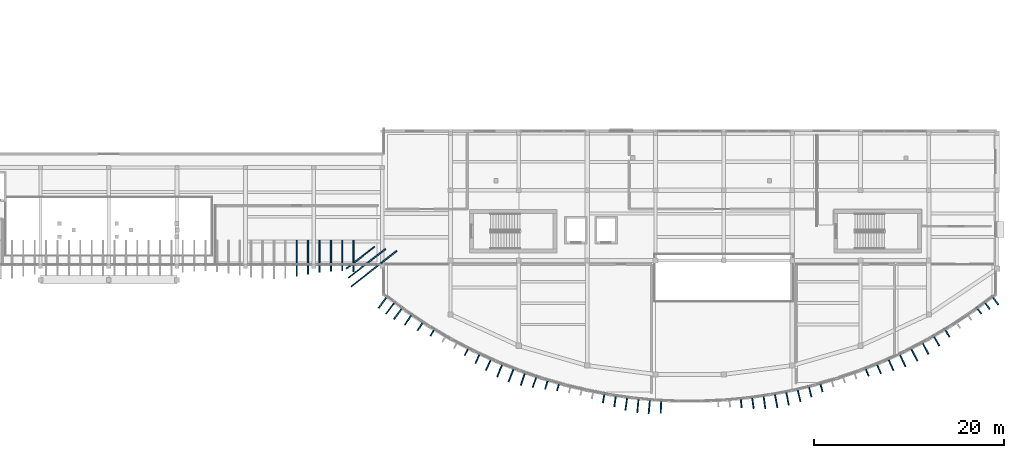
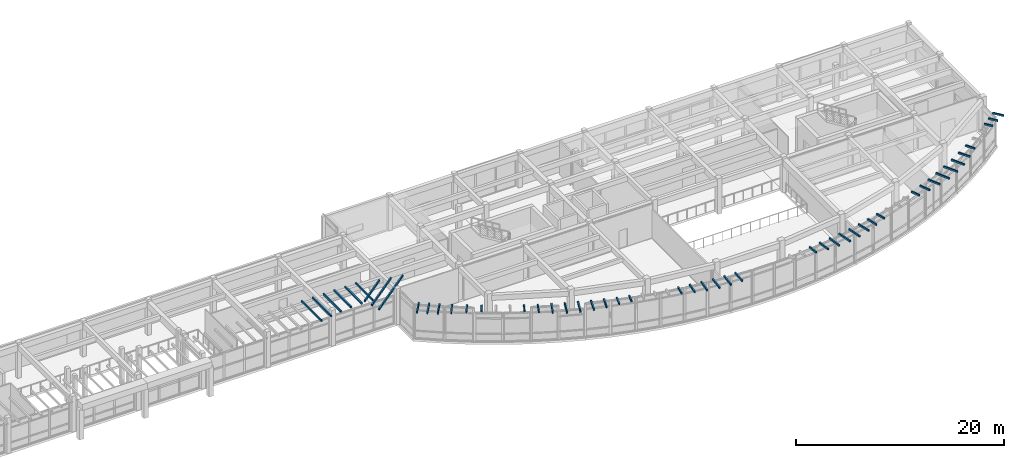
# One storey, part 46 of 60: 49 discrete accessories.
"""IFC4 building model written with IfcOpenShell, lengths in metres."""

from ifc_helpers import new_model, si_unit, direction, frame, origin, origin_2d, place, context, subcontext, project, spatial, rectangle, extrude, material, type_object, element, save


model = new_model("IFC4")

# Units and contexts
model_context = context("Model", 3, precision=1e-05, world=origin(), true_north=direction((0.0, 1.0)))
body_context = subcontext(model_context, "Body", "Model", "MODEL_VIEW")
ifc_project = project(units=[si_unit("LENGTHUNIT", "METRE"), si_unit("AREAUNIT", "SQUARE_METRE"), si_unit("VOLUMEUNIT", "CUBIC_METRE"), si_unit("PLANEANGLEUNIT", "RADIAN"), si_unit("MASSUNIT", "GRAM", prefix="KILO")], contexts=[model_context])

# Site, building, storey
site_placement = place(None, origin())
site = spatial("IfcSite", under=ifc_project, at=site_placement, CompositionType="ELEMENT")
building_placement = place(site_placement, origin())
building = spatial("IfcBuilding", under=site, at=building_placement, Name="Brisavento Harbour Community Centre", CompositionType="ELEMENT")
storey_placement = place(building_placement, frame((0.0, 0.0, 4.5)))
storey = spatial("IfcBuildingStorey", under=building, at=storey_placement, Name="L01", CompositionType="ELEMENT", Elevation=4.5)

# Discrete accessories
ifc_material = material(Name="Stainless steel 1.4401", Category="steel")
discrete_accessory_type = type_object("IfcDiscreteAccessoryType", Name="BRK-FIN-SS", PredefinedType="BRACKET", material=ifc_material)
discrete_accessory_1_placement = place(storey_placement, frame((99.0, 15.2373046875, 3.97998046875), z_axis=(0.0, 0.0, 1.0), x_axis=(0.0, -1.0, 0.0)))
element("IfcDiscreteAccessory", 1, at=discrete_accessory_1_placement, inside=storey, type_object=discrete_accessory_type, Name="Stainless-steel storm-fin bracket 084.3", PredefinedType="BRACKET", context=body_context, shape_type="SweptSolid", body=[
    extrude(rectangle(XDim=3.825439453125, YDim=0.139892578125, at=origin_2d()), origin(), (0.0, 0.0, 1.0), 0.199951171875),
])
discrete_accessory_2_placement = place(storey_placement, frame((100.199951171875, 15.345947265625, 3.97998046875), z_axis=(0.0, 0.0, 1.0), x_axis=(0.0, -1.0, 0.0)))
element("IfcDiscreteAccessory", 2, at=discrete_accessory_2_placement, inside=storey, type_object=discrete_accessory_type, Name="Stainless-steel storm-fin bracket 085.3", PredefinedType="BRACKET", context=body_context, shape_type="SweptSolid", body=[
    extrude(rectangle(XDim=3.60791015625, YDim=0.139892578125, at=origin_2d()), origin(), (0.0, 0.0, 1.0), 0.199951171875),
])
discrete_accessory_3_placement = place(storey_placement, frame((101.39990234375, 15.448486328125, 3.97998046875), z_axis=(0.0, 0.0, 1.0), x_axis=(0.0, -1.0, 0.0)))
element("IfcDiscreteAccessory", 3, at=discrete_accessory_3_placement, inside=storey, type_object=discrete_accessory_type, Name="Stainless-steel storm-fin bracket 086.3", PredefinedType="BRACKET", context=body_context, shape_type="SweptSolid", body=[
    extrude(rectangle(XDim=3.403076171875, YDim=0.139892578125, at=origin_2d()), origin(), (0.0, 0.0, 1.0), 0.199951171875),
])
discrete_accessory_4_placement = place(storey_placement, frame((102.60009765625, 15.51708984375, 3.97998046875), z_axis=(0.0, 0.0, 1.0), x_axis=(0.0, -1.0, 0.0)))
element("IfcDiscreteAccessory", 4, at=discrete_accessory_4_placement, inside=storey, type_object=discrete_accessory_type, Name="Stainless-steel storm-fin bracket 087.3", PredefinedType="BRACKET", context=body_context, shape_type="SweptSolid", body=[
    extrude(rectangle(XDim=3.265625, YDim=0.139892578125, at=origin_2d()), origin(), (0.0, 0.0, 1.0), 0.199951171875),
])
discrete_accessory_5_placement = place(storey_placement, frame((103.800048828125, 15.53369140625, 3.97998046875), z_axis=(0.0, 0.0, 1.0), x_axis=(0.0, -1.0, 0.0)))
element("IfcDiscreteAccessory", 5, at=discrete_accessory_5_placement, inside=storey, type_object=discrete_accessory_type, Name="Stainless-steel storm-fin bracket 088.3", PredefinedType="BRACKET", context=body_context, shape_type="SweptSolid", body=[
    extrude(rectangle(XDim=3.232666015625, YDim=0.139892578125, at=origin_2d()), origin(), (0.0, 0.0, 1.0), 0.199951171875),
])
discrete_accessory_6_placement = place(storey_placement, frame((105.0, 15.49365234375, 3.97998046875), z_axis=(0.0, 0.0, 1.0), x_axis=(0.0, -1.0, 0.0)))
element("IfcDiscreteAccessory", 6, at=discrete_accessory_6_placement, inside=storey, type_object=discrete_accessory_type, Name="Stainless-steel storm-fin bracket 089.3", PredefinedType="BRACKET", context=body_context, shape_type="SweptSolid", body=[
    extrude(rectangle(XDim=3.312744140625, YDim=0.139892578125, at=origin_2d()), origin(), (0.0, 0.0, 1.0), 0.199951171875),
])
discrete_accessory_7_placement = place(storey_placement, frame((105.707275390625, 15.290283203125, 3.97998046875), z_axis=(0.0, 0.0, 1.0), x_axis=(-0.788053732966, -0.615606460297, 0.0)))
element("IfcDiscreteAccessory", 7, at=discrete_accessory_7_placement, inside=storey, type_object=discrete_accessory_type, Name="Stainless-steel storm-fin bracket 090.3", PredefinedType="BRACKET", context=body_context, shape_type="SweptSolid", body=[
    extrude(rectangle(XDim=3.765380859375, YDim=0.139892578125, at=origin_2d()), origin(), (0.0, 0.0, 1.0), 0.199951171875),
])
discrete_accessory_8_placement = place(storey_placement, frame((106.4140625, 14.70556640625, 3.97998046875), z_axis=(0.0, 0.0, 1.0), x_axis=(-0.788053732966, -0.615606460297, 0.0)))
element("IfcDiscreteAccessory", 8, at=discrete_accessory_8_placement, inside=storey, type_object=discrete_accessory_type, Name="Stainless-steel storm-fin bracket 091.3", PredefinedType="BRACKET", context=body_context, shape_type="SweptSolid", body=[
    extrude(rectangle(XDim=4.94970703125, YDim=0.139892578125, at=origin_2d()), origin(), (0.0, 0.0, 1.0), 0.199951171875),
])
discrete_accessory_9_placement = place(storey_placement, frame((107.130126953125, 14.1279296875, 3.97998046875), z_axis=(0.0, 0.0, 1.0), x_axis=(-0.788053732966, -0.615606460297, 0.0)))
element("IfcDiscreteAccessory", 9, at=discrete_accessory_9_placement, inside=storey, type_object=discrete_accessory_type, Name="Stainless-steel storm-fin bracket 092.3", PredefinedType="BRACKET", context=body_context, shape_type="SweptSolid", body=[
    extrude(rectangle(XDim=6.116943359375, YDim=0.139892578125, at=origin_2d()), origin(), (0.0, 0.0, 1.0), 0.199951171875),
])
discrete_accessory_10_placement = place(storey_placement, frame((108.09765625, 10.62451171875, 3.97998046875), z_axis=(0.0, 0.0, 1.0), x_axis=(-0.600252726595, -0.799810392665, 0.0)))
element("IfcDiscreteAccessory", 10, at=discrete_accessory_10_placement, inside=storey, type_object=discrete_accessory_type, Name="Stainless-steel storm-fin bracket 093.3", PredefinedType="BRACKET", context=body_context, shape_type="SweptSolid", body=[
    extrude(rectangle(XDim=1.607666015625, YDim=0.139892578125, at=origin_2d()), origin(), (0.0, 0.0, 1.0), 0.199951171875),
])
discrete_accessory_11_placement = place(storey_placement, frame((108.8916015625, 10.01611328125, 3.97998046875), z_axis=(0.0, 0.0, 1.0), x_axis=(-0.600252726595, -0.799810392665, 0.0)))
element("IfcDiscreteAccessory", 11, at=discrete_accessory_11_placement, inside=storey, type_object=discrete_accessory_type, Name="Stainless-steel storm-fin bracket 094.3", PredefinedType="BRACKET", context=body_context, shape_type="SweptSolid", body=[
    extrude(rectangle(XDim=1.62744140625, YDim=0.139892578125, at=origin_2d()), origin(), (0.0, 0.0, 1.0), 0.199951171875),
])
discrete_accessory_12_placement = place(storey_placement, frame((109.70947265625, 9.439453125, 3.97998046875), z_axis=(0.0, 0.0, 1.0), x_axis=(-0.600252726595, -0.799810392665, 0.0)))
element("IfcDiscreteAccessory", 12, at=discrete_accessory_12_placement, inside=storey, type_object=discrete_accessory_type, Name="Stainless-steel storm-fin bracket 095.3", PredefinedType="BRACKET", context=body_context, shape_type="SweptSolid", body=[
    extrude(rectangle(XDim=1.568115234375, YDim=0.139892578125, at=origin_2d()), origin(), (0.0, 0.0, 1.0), 0.199951171875),
])
discrete_accessory_13_placement = place(storey_placement, frame((110.77685546875, 8.7919921875, 3.97998046875), z_axis=(0.0, 0.0, 1.0), x_axis=(-0.554060082852, -0.832476681109, 0.0)))
element("IfcDiscreteAccessory", 13, at=discrete_accessory_13_placement, inside=storey, type_object=discrete_accessory_type, Name="Stainless-steel storm-fin bracket 096.3", PredefinedType="BRACKET", context=body_context, shape_type="SweptSolid", body=[
    extrude(rectangle(XDim=1.405517578125, YDim=0.139892578125, at=origin_2d()), origin(), (0.0, 0.0, 1.0), 0.199951171875),
])
discrete_accessory_14_placement = place(storey_placement, frame((112.048583984375, 8.100830078125, 3.97998046875), z_axis=(0.0, 0.0, 1.0), x_axis=(-0.554060082852, -0.832476681109, 0.0)))
element("IfcDiscreteAccessory", 14, at=discrete_accessory_14_placement, inside=storey, type_object=discrete_accessory_type, Name="Stainless-steel storm-fin bracket 097.3", PredefinedType="BRACKET", context=body_context, shape_type="SweptSolid", body=[
    extrude(rectangle(XDim=1.146728515625, YDim=0.139892578125, at=origin_2d()), origin(), (0.0, 0.0, 1.0), 0.199951171875),
])
discrete_accessory_15_placement = place(storey_placement, frame((113.3203125, 7.4404296875, 3.97998046875), z_axis=(0.0, 0.0, 1.0), x_axis=(-0.507869167385, -0.861434216188, 0.0)))
element("IfcDiscreteAccessory", 15, at=discrete_accessory_15_placement, inside=storey, type_object=discrete_accessory_type, Name="Stainless-steel storm-fin bracket 098.3", PredefinedType="BRACKET", context=body_context, shape_type="SweptSolid", body=[
    extrude(rectangle(XDim=0.913330078125, YDim=0.139892578125, at=origin_2d()), origin(), (0.0, 0.0, 1.0), 0.199951171875),
])
discrete_accessory_16_placement = place(storey_placement, frame((116.914794921875, 5.41357421875, 3.97998046875), z_axis=(0.0, 0.0, 1.0), x_axis=(-0.461702168823, -0.887035009063, 0.0)))
element("IfcDiscreteAccessory", 16, at=discrete_accessory_16_placement, inside=storey, type_object=discrete_accessory_type, Name="Stainless-steel storm-fin bracket 101.3", PredefinedType="BRACKET", context=body_context, shape_type="SweptSolid", body=[
    extrude(rectangle(XDim=0.968994140625, YDim=0.139892578125, at=origin_2d()), origin(), (0.0, 0.0, 1.0), 0.199951171875),
])
discrete_accessory_17_placement = place(storey_placement, frame((118.07470703125, 4.716796875, 3.97998046875), z_axis=(0.0, 0.0, 1.0), x_axis=(-0.415518926407, -0.909584532519, 0.0)))
element("IfcDiscreteAccessory", 17, at=discrete_accessory_17_placement, inside=storey, type_object=discrete_accessory_type, Name="Stainless-steel storm-fin bracket 102.3", PredefinedType="BRACKET", context=body_context, shape_type="SweptSolid", body=[
    extrude(rectangle(XDim=1.20263671875, YDim=0.139892578125, at=origin_2d()), origin(), (0.0, 0.0, 1.0), 0.199951171875),
])
discrete_accessory_18_placement = place(storey_placement, frame((119.2265625, 4.063232421875, 3.97998046875), z_axis=(0.0, 0.0, 1.0), x_axis=(-0.415518926407, -0.909584532519, 0.0)))
element("IfcDiscreteAccessory", 18, at=discrete_accessory_18_placement, inside=storey, type_object=discrete_accessory_type, Name="Stainless-steel storm-fin bracket 103.3", PredefinedType="BRACKET", context=body_context, shape_type="SweptSolid", body=[
    extrude(rectangle(XDim=1.434326171875, YDim=0.139892578125, at=origin_2d()), origin(), (0.0, 0.0, 1.0), 0.199951171875),
])
discrete_accessory_19_placement = place(storey_placement, frame((120.4169921875, 3.4697265625, 3.97998046875), z_axis=(0.0, 0.0, 1.0), x_axis=(-0.369341311525, -0.92929381554, 0.0)))
element("IfcDiscreteAccessory", 19, at=discrete_accessory_19_placement, inside=storey, type_object=discrete_accessory_type, Name="Stainless-steel storm-fin bracket 104.3", PredefinedType="BRACKET", context=body_context, shape_type="SweptSolid", body=[
    extrude(rectangle(XDim=1.59130859375, YDim=0.139892578125, at=origin_2d()), origin(), (0.0, 0.0, 1.0), 0.199951171875),
])
discrete_accessory_20_placement = place(storey_placement, frame((121.6103515625, 2.976318359375, 3.97998046875), z_axis=(0.0, 0.0, 1.0), x_axis=(-0.369341311525, -0.92929381554, 0.0)))
element("IfcDiscreteAccessory", 20, at=discrete_accessory_20_placement, inside=storey, type_object=discrete_accessory_type, Name="Stainless-steel storm-fin bracket 105.3", PredefinedType="BRACKET", context=body_context, shape_type="SweptSolid", body=[
    extrude(rectangle(XDim=1.626220703125, YDim=0.139892578125, at=origin_2d()), origin(), (0.0, 0.0, 1.0), 0.199951171875),
])
discrete_accessory_21_placement = place(storey_placement, frame((122.849365234375, 2.568603515625, 3.97998046875), z_axis=(0.0, 0.0, 1.0), x_axis=(-0.323174264667, -0.94633947115, 0.0)))
element("IfcDiscreteAccessory", 21, at=discrete_accessory_21_placement, inside=storey, type_object=discrete_accessory_type, Name="Stainless-steel storm-fin bracket 106.3", PredefinedType="BRACKET", context=body_context, shape_type="SweptSolid", body=[
    extrude(rectangle(XDim=1.53271484375, YDim=0.139892578125, at=origin_2d()), origin(), (0.0, 0.0, 1.0), 0.199951171875),
])
discrete_accessory_22_placement = place(storey_placement, frame((124.080078125, 2.249267578125, 3.97998046875), z_axis=(0.0, 0.0, 1.0), x_axis=(-0.323174264667, -0.94633947115, 0.0)))
element("IfcDiscreteAccessory", 22, at=discrete_accessory_22_placement, inside=storey, type_object=discrete_accessory_type, Name="Stainless-steel storm-fin bracket 107.3", PredefinedType="BRACKET", context=body_context, shape_type="SweptSolid", body=[
    extrude(rectangle(XDim=1.341552734375, YDim=0.139892578125, at=origin_2d()), origin(), (0.0, 0.0, 1.0), 0.199951171875),
])
discrete_accessory_23_placement = place(storey_placement, frame((125.3291015625, 1.9765625, 3.97998046875), z_axis=(0.0, 0.0, 1.0), x_axis=(-0.276996031628, -0.96087106235, 0.0)))
element("IfcDiscreteAccessory", 23, at=discrete_accessory_23_placement, inside=storey, type_object=discrete_accessory_type, Name="Stainless-steel storm-fin bracket 108.3", PredefinedType="BRACKET", context=body_context, shape_type="SweptSolid", body=[
    extrude(rectangle(XDim=1.111328125, YDim=0.139892578125, at=origin_2d()), origin(), (0.0, 0.0, 1.0), 0.199951171875),
])
discrete_accessory_24_placement = place(storey_placement, frame((126.55712890625, 1.727294921875, 3.97998046875), z_axis=(0.0, 0.0, 1.0), x_axis=(-0.276996031628, -0.96087106235, 0.0)))
element("IfcDiscreteAccessory", 24, at=discrete_accessory_24_placement, inside=storey, type_object=discrete_accessory_type, Name="Stainless-steel storm-fin bracket 109.3", PredefinedType="BRACKET", context=body_context, shape_type="SweptSolid", body=[
    extrude(rectangle(XDim=0.909912109375, YDim=0.139892578125, at=origin_2d()), origin(), (0.0, 0.0, 1.0), 0.199951171875),
])
discrete_accessory_25_placement = place(storey_placement, frame((131.35302734375, 0.545166015625, 3.97998046875), z_axis=(0.0, 0.0, 1.0), x_axis=(-0.184671830369, -0.982800241691, 0.0)))
element("IfcDiscreteAccessory", 25, at=discrete_accessory_25_placement, inside=storey, type_object=discrete_accessory_type, Name="Stainless-steel storm-fin bracket 113.3", PredefinedType="BRACKET", context=body_context, shape_type="SweptSolid", body=[
    extrude(rectangle(XDim=1.109619140625, YDim=0.139892578125, at=origin_2d()), origin(), (0.0, 0.0, 1.0), 0.199951171875),
])
discrete_accessory_26_placement = place(storey_placement, frame((132.54931640625, 0.236328125, 3.97998046875), z_axis=(0.0, 0.0, 1.0), x_axis=(-0.138499014678, -0.990362571452, 0.0)))
element("IfcDiscreteAccessory", 26, at=discrete_accessory_26_placement, inside=storey, type_object=discrete_accessory_type, Name="Stainless-steel storm-fin bracket 114.3", PredefinedType="BRACKET", context=body_context, shape_type="SweptSolid", body=[
    extrude(rectangle(XDim=1.332275390625, YDim=0.139892578125, at=origin_2d()), origin(), (0.0, 0.0, 1.0), 0.199951171875),
])
discrete_accessory_27_placement = place(storey_placement, frame((133.736328125, -0.024169921875, 3.97998046875), z_axis=(0.0, 0.0, 1.0), x_axis=(-0.138499014678, -0.990362571452, 0.0)))
element("IfcDiscreteAccessory", 27, at=discrete_accessory_27_placement, inside=storey, type_object=discrete_accessory_type, Name="Stainless-steel storm-fin bracket 115.3", PredefinedType="BRACKET", context=body_context, shape_type="SweptSolid", body=[
    extrude(rectangle(XDim=1.51953125, YDim=0.139892578125, at=origin_2d()), origin(), (0.0, 0.0, 1.0), 0.199951171875),
])
discrete_accessory_28_placement = place(storey_placement, frame((134.952880859375, -0.21630859375, 3.97998046875), z_axis=(0.0, 0.0, 1.0), x_axis=(-0.092335830041, -0.99572792192, 0.0)))
element("IfcDiscreteAccessory", 28, at=discrete_accessory_28_placement, inside=storey, type_object=discrete_accessory_type, Name="Stainless-steel storm-fin bracket 116.3", PredefinedType="BRACKET", context=body_context, shape_type="SweptSolid", body=[
    extrude(rectangle(XDim=1.62060546875, YDim=0.139892578125, at=origin_2d()), origin(), (0.0, 0.0, 1.0), 0.199951171875),
])
discrete_accessory_29_placement = place(storey_placement, frame((136.1533203125, -0.322021484375, 3.97998046875), z_axis=(0.0, 0.0, 1.0), x_axis=(-0.092335830041, -0.99572792192, 0.0)))
element("IfcDiscreteAccessory", 29, at=discrete_accessory_29_placement, inside=storey, type_object=discrete_accessory_type, Name="Stainless-steel storm-fin bracket 117.3", PredefinedType="BRACKET", context=body_context, shape_type="SweptSolid", body=[
    extrude(rectangle(XDim=1.609130859375, YDim=0.139892578125, at=origin_2d()), origin(), (0.0, 0.0, 1.0), 0.199951171875),
])
discrete_accessory_30_placement = place(storey_placement, frame((137.37939453125, -0.3466796875, 3.97998046875), z_axis=(0.0, 0.0, 1.0), x_axis=(-0.0461649984, -0.9989338281, 0.0)))
element("IfcDiscreteAccessory", 30, at=discrete_accessory_30_placement, inside=storey, type_object=discrete_accessory_type, Name="Stainless-steel storm-fin bracket 118.3", PredefinedType="BRACKET", context=body_context, shape_type="SweptSolid", body=[
    extrude(rectangle(XDim=1.488525390625, YDim=0.139892578125, at=origin_2d()), origin(), (0.0, 0.0, 1.0), 0.199951171875),
])
discrete_accessory_31_placement = place(storey_placement, frame((145.823974609375, 0.032958984375, 3.97998046875), z_axis=(0.0, 0.0, 1.0), x_axis=(0.092335830041, -0.99572792192, 0.0)))
element("IfcDiscreteAccessory", 31, at=discrete_accessory_31_placement, inside=storey, type_object=discrete_accessory_type, Name="Stainless-steel storm-fin bracket 121.3", PredefinedType="BRACKET", context=body_context, shape_type="SweptSolid", body=[
    extrude(rectangle(XDim=1.119873046875, YDim=0.139892578125, at=origin_2d()), origin(), (0.0, 0.0, 1.0), 0.199951171875),
])
discrete_accessory_32_placement = place(storey_placement, frame((147.05126953125, 0.064208984375, 3.97998046875), z_axis=(0.0, 0.0, 1.0), x_axis=(0.138499014678, -0.990362571452, 0.0)))
element("IfcDiscreteAccessory", 32, at=discrete_accessory_32_placement, inside=storey, type_object=discrete_accessory_type, Name="Stainless-steel storm-fin bracket 122.3", PredefinedType="BRACKET", context=body_context, shape_type="SweptSolid", body=[
    extrude(rectangle(XDim=1.3408203125, YDim=0.139892578125, at=origin_2d()), origin(), (0.0, 0.0, 1.0), 0.199951171875),
])
discrete_accessory_33_placement = place(storey_placement, frame((148.26416015625, 0.140625, 3.97998046875), z_axis=(0.0, 0.0, 1.0), x_axis=(0.138499014678, -0.990362571452, 0.0)))
element("IfcDiscreteAccessory", 33, at=discrete_accessory_33_placement, inside=storey, type_object=discrete_accessory_type, Name="Stainless-steel storm-fin bracket 123.3", PredefinedType="BRACKET", context=body_context, shape_type="SweptSolid", body=[
    extrude(rectangle(XDim=1.525390625, YDim=0.139892578125, at=origin_2d()), origin(), (0.0, 0.0, 1.0), 0.199951171875),
])
discrete_accessory_34_placement = place(storey_placement, frame((149.494384765625, 0.293212890625, 3.97998046875), z_axis=(0.0, 0.0, 1.0), x_axis=(0.184671830369, -0.982800241691, 0.0)))
element("IfcDiscreteAccessory", 34, at=discrete_accessory_34_placement, inside=storey, type_object=discrete_accessory_type, Name="Stainless-steel storm-fin bracket 124.3", PredefinedType="BRACKET", context=body_context, shape_type="SweptSolid", body=[
    extrude(rectangle(XDim=1.622802734375, YDim=0.139892578125, at=origin_2d()), origin(), (0.0, 0.0, 1.0), 0.199951171875),
])
discrete_accessory_35_placement = place(storey_placement, frame((150.69287109375, 0.527587890625, 3.97998046875), z_axis=(0.0, 0.0, 1.0), x_axis=(0.184671830369, -0.982800241691, 0.0)))
element("IfcDiscreteAccessory", 35, at=discrete_accessory_35_placement, inside=storey, type_object=discrete_accessory_type, Name="Stainless-steel storm-fin bracket 125.3", PredefinedType="BRACKET", context=body_context, shape_type="SweptSolid", body=[
    extrude(rectangle(XDim=1.604736328125, YDim=0.139892578125, at=origin_2d()), origin(), (0.0, 0.0, 1.0), 0.199951171875),
])
discrete_accessory_36_placement = place(storey_placement, frame((151.90087890625, 0.8505859375, 3.97998046875), z_axis=(0.0, 0.0, 1.0), x_axis=(0.230830981037, -0.972993863389, 0.0)))
element("IfcDiscreteAccessory", 36, at=discrete_accessory_36_placement, inside=storey, type_object=discrete_accessory_type, Name="Stainless-steel storm-fin bracket 126.3", PredefinedType="BRACKET", context=body_context, shape_type="SweptSolid", body=[
    extrude(rectangle(XDim=1.47509765625, YDim=0.139892578125, at=origin_2d()), origin(), (0.0, 0.0, 1.0), 0.199951171875),
])
discrete_accessory_37_placement = place(storey_placement, frame((153.0771484375, 1.235595703125, 3.97998046875), z_axis=(0.0, 0.0, 1.0), x_axis=(0.230830981037, -0.972993863389, 0.0)))
element("IfcDiscreteAccessory", 37, at=discrete_accessory_37_placement, inside=storey, type_object=discrete_accessory_type, Name="Stainless-steel storm-fin bracket 127.3", PredefinedType="BRACKET", context=body_context, shape_type="SweptSolid", body=[
    extrude(rectangle(XDim=1.2685546875, YDim=0.139892578125, at=origin_2d()), origin(), (0.0, 0.0, 1.0), 0.199951171875),
])
discrete_accessory_38_placement = place(storey_placement, frame((154.26123046875, 1.66357421875, 3.97998046875), z_axis=(0.0, 0.0, 1.0), x_axis=(0.276996031628, -0.96087106235, 0.0)))
element("IfcDiscreteAccessory", 38, at=discrete_accessory_38_placement, inside=storey, type_object=discrete_accessory_type, Name="Stainless-steel storm-fin bracket 128.3", PredefinedType="BRACKET", context=body_context, shape_type="SweptSolid", body=[
    extrude(rectangle(XDim=1.04296875, YDim=0.139892578125, at=origin_2d()), origin(), (0.0, 0.0, 1.0), 0.199951171875),
])
discrete_accessory_39_placement = place(storey_placement, frame((159.071044921875, 3.2744140625, 3.97998046875), z_axis=(0.0, 0.0, 1.0), x_axis=(0.369341311525, -0.92929381554, 0.0)))
element("IfcDiscreteAccessory", 39, at=discrete_accessory_39_placement, inside=storey, type_object=discrete_accessory_type, Name="Stainless-steel storm-fin bracket 132.3", PredefinedType="BRACKET", context=body_context, shape_type="SweptSolid", body=[
    extrude(rectangle(XDim=0.98486328125, YDim=0.139892578125, at=origin_2d()), origin(), (0.0, 0.0, 1.0), 0.199951171875),
])
discrete_accessory_40_placement = place(storey_placement, frame((160.313232421875, 3.645263671875, 3.97998046875), z_axis=(0.0, 0.0, 1.0), x_axis=(0.369341311525, -0.92929381554, 0.0)))
element("IfcDiscreteAccessory", 40, at=discrete_accessory_40_placement, inside=storey, type_object=discrete_accessory_type, Name="Stainless-steel storm-fin bracket 133.3", PredefinedType="BRACKET", context=body_context, shape_type="SweptSolid", body=[
    extrude(rectangle(XDim=1.212890625, YDim=0.139892578125, at=origin_2d()), origin(), (0.0, 0.0, 1.0), 0.199951171875),
])
discrete_accessory_41_placement = place(storey_placement, frame((161.57470703125, 4.060302734375, 3.97998046875), z_axis=(0.0, 0.0, 1.0), x_axis=(0.415518926407, -0.909584532519, 0.0)))
element("IfcDiscreteAccessory", 41, at=discrete_accessory_41_placement, inside=storey, type_object=discrete_accessory_type, Name="Stainless-steel storm-fin bracket 134.3", PredefinedType="BRACKET", context=body_context, shape_type="SweptSolid", body=[
    extrude(rectangle(XDim=1.44091796875, YDim=0.139892578125, at=origin_2d()), origin(), (0.0, 0.0, 1.0), 0.199951171875),
])
discrete_accessory_42_placement = place(storey_placement, frame((162.806884765625, 4.538330078125, 3.97998046875), z_axis=(0.0, 0.0, 1.0), x_axis=(0.415518926407, -0.909584532519, 0.0)))
element("IfcDiscreteAccessory", 42, at=discrete_accessory_42_placement, inside=storey, type_object=discrete_accessory_type, Name="Stainless-steel storm-fin bracket 135.3", PredefinedType="BRACKET", context=body_context, shape_type="SweptSolid", body=[
    extrude(rectangle(XDim=1.59521484375, YDim=0.139892578125, at=origin_2d()), origin(), (0.0, 0.0, 1.0), 0.199951171875),
])
discrete_accessory_43_placement = place(storey_placement, frame((164.036376953125, 5.123291015625, 3.97998046875), z_axis=(0.0, 0.0, 1.0), x_axis=(0.461702168823, -0.887035009063, 0.0)))
element("IfcDiscreteAccessory", 43, at=discrete_accessory_43_placement, inside=storey, type_object=discrete_accessory_type, Name="Stainless-steel storm-fin bracket 136.3", PredefinedType="BRACKET", context=body_context, shape_type="SweptSolid", body=[
    extrude(rectangle(XDim=1.623291015625, YDim=0.139892578125, at=origin_2d()), origin(), (0.0, 0.0, 1.0), 0.199951171875),
])
discrete_accessory_44_placement = place(storey_placement, frame((165.210205078125, 5.7978515625, 3.97998046875), z_axis=(0.0, 0.0, 1.0), x_axis=(0.461702168823, -0.887035009063, 0.0)))
element("IfcDiscreteAccessory", 44, at=discrete_accessory_44_placement, inside=storey, type_object=discrete_accessory_type, Name="Stainless-steel storm-fin bracket 137.3", PredefinedType="BRACKET", context=body_context, shape_type="SweptSolid", body=[
    extrude(rectangle(XDim=1.510986328125, YDim=0.139892578125, at=origin_2d()), origin(), (0.0, 0.0, 1.0), 0.199951171875),
])
discrete_accessory_45_placement = place(storey_placement, frame((166.375732421875, 6.570068359375, 3.97998046875), z_axis=(0.0, 0.0, 1.0), x_axis=(0.507869167385, -0.861434216188, 0.0)))
element("IfcDiscreteAccessory", 45, at=discrete_accessory_45_placement, inside=storey, type_object=discrete_accessory_type, Name="Stainless-steel storm-fin bracket 138.3", PredefinedType="BRACKET", context=body_context, shape_type="SweptSolid", body=[
    extrude(rectangle(XDim=1.29150390625, YDim=0.139892578125, at=origin_2d()), origin(), (0.0, 0.0, 1.0), 0.199951171875),
])
discrete_accessory_46_placement = place(storey_placement, frame((167.51123046875, 7.386474609375, 3.97998046875), z_axis=(0.0, 0.0, 1.0), x_axis=(0.507869167385, -0.861434216188, 0.0)))
element("IfcDiscreteAccessory", 46, at=discrete_accessory_46_placement, inside=storey, type_object=discrete_accessory_type, Name="Stainless-steel storm-fin bracket 139.3", PredefinedType="BRACKET", context=body_context, shape_type="SweptSolid", body=[
    extrude(rectangle(XDim=1.03857421875, YDim=0.139892578125, at=origin_2d()), origin(), (0.0, 0.0, 1.0), 0.199951171875),
])
discrete_accessory_47_placement = place(storey_placement, frame((170.877197265625, 9.723876953125, 3.97998046875), z_axis=(0.0, 0.0, 1.0), x_axis=(0.600252726595, -0.799810392665, 0.0)))
element("IfcDiscreteAccessory", 47, at=discrete_accessory_47_placement, inside=storey, type_object=discrete_accessory_type, Name="Stainless-steel storm-fin bracket 142.3", PredefinedType="BRACKET", context=body_context, shape_type="SweptSolid", body=[
    extrude(rectangle(XDim=0.857177734375, YDim=0.139892578125, at=origin_2d()), origin(), (0.0, 0.0, 1.0), 0.199951171875),
])
discrete_accessory_48_placement = place(storey_placement, frame((171.718017578125, 10.27001953125, 3.97998046875), z_axis=(0.0, 0.0, 1.0), x_axis=(0.600252726595, -0.799810392665, 0.0)))
element("IfcDiscreteAccessory", 48, at=discrete_accessory_48_placement, inside=storey, type_object=discrete_accessory_type, Name="Stainless-steel storm-fin bracket 143.3", PredefinedType="BRACKET", context=body_context, shape_type="SweptSolid", body=[
    extrude(rectangle(XDim=0.992919921875, YDim=0.139892578125, at=origin_2d()), origin(), (0.0, 0.0, 1.0), 0.199951171875),
])
discrete_accessory_49_placement = place(storey_placement, frame((172.570556640625, 10.800048828125, 3.97998046875), z_axis=(0.0, 0.0, 1.0), x_axis=(0.600252726595, -0.799810392665, 0.0)))
element("IfcDiscreteAccessory", 49, at=discrete_accessory_49_placement, inside=storey, type_object=discrete_accessory_type, Name="Stainless-steel storm-fin bracket 144.3", PredefinedType="BRACKET", context=body_context, shape_type="SweptSolid", body=[
    extrude(rectangle(XDim=1.16845703125, YDim=0.139892578125, at=origin_2d()), origin(), (0.0, 0.0, 1.0), 0.199951171875),
])

save(model, "model.ifc")
